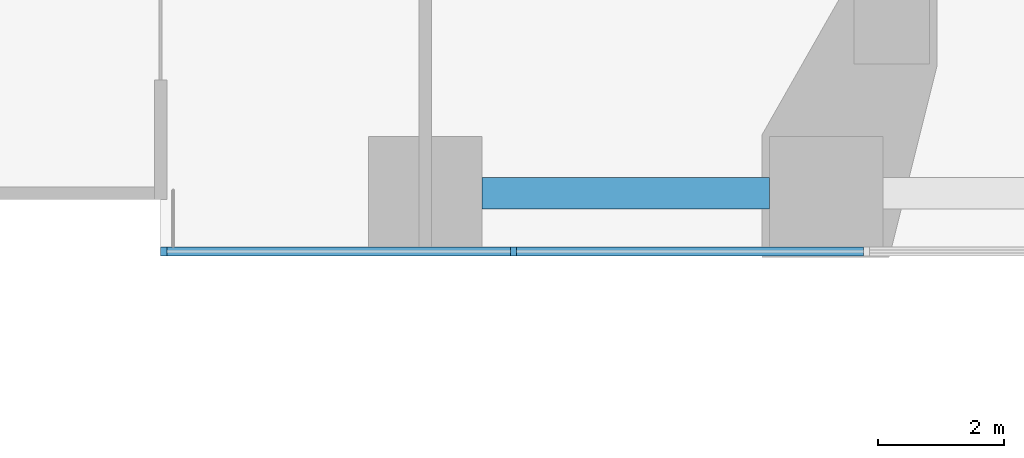
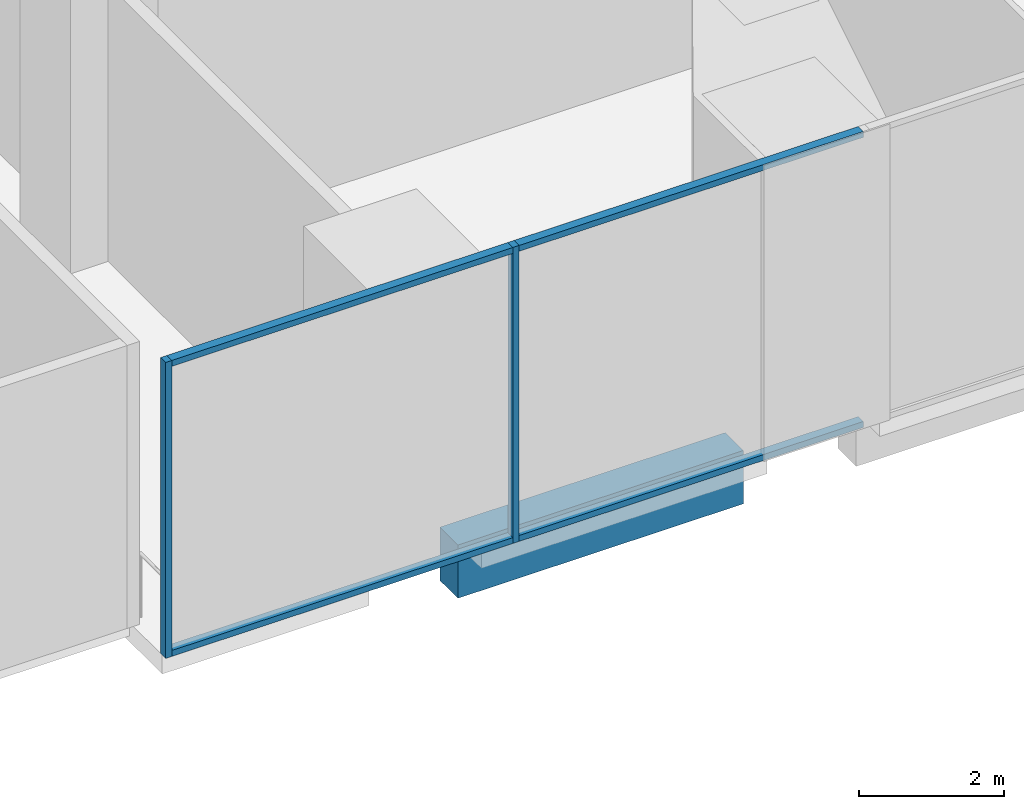
# One storey, part 5 of 24: 6 members, 1 beam, 1 element without a shape of its own.
"""IFC4 building model written with IfcOpenShell, lengths in metres."""

from ifc_helpers import new_model, si_unit, direction, frame, origin, origin_2d, place, context, subcontext, project, spatial, rectangle, extrude, material, layer, layer_set, material_profile, profile_set, type_object, element, aggregate, save


model = new_model("IFC4")

# Units and contexts
model_context = context("Model", 3, precision=1e-05, world=origin(), true_north=direction((0.0, 1.0)))
body_context = subcontext(model_context, "Body", "Model", "MODEL_VIEW")
ifc_project = project(units=[si_unit("LENGTHUNIT", "METRE"), si_unit("AREAUNIT", "SQUARE_METRE"), si_unit("VOLUMEUNIT", "CUBIC_METRE"), si_unit("PLANEANGLEUNIT", "RADIAN"), si_unit("MASSUNIT", "GRAM", prefix="KILO")], contexts=[model_context])

# Site, building, storey
site_placement = place(None, origin())
site = spatial("IfcSite", under=ifc_project, at=site_placement, CompositionType="ELEMENT")
building_placement = place(site_placement, origin())
building = spatial("IfcBuilding", under=site, at=building_placement, Name="Marenta Gate Hotel Tower", CompositionType="ELEMENT")
storey_placement = place(building_placement, frame((0.0, 0.0, 8.0)))
storey = spatial("IfcBuildingStorey", under=building, at=storey_placement, Name="L01", CompositionType="ELEMENT", Elevation=8.0)

# Curtain wall, members
ifc_material_1 = material(Name="Tinted insulated glass in bronze anodised frame", Category="glass")
ifc_layer = layer(ifc_material_1, 0.139892578125)
ifc_layer_set = layer_set([ifc_layer], Name="Tinted insulated glass in bronze anodised frame")
curtain_wall_type = type_object("IfcCurtainWallType", Name="Hotel lobby glazing CW6", PredefinedType="NOTDEFINED", material=ifc_layer_set)
curtain_wall_placement = place(storey_placement, origin())
curtain_wall = element("IfcCurtainWall", 1, at=curtain_wall_placement, inside=storey, type_object=curtain_wall_type, Name="CW6 run NB-S100", PredefinedType="NOTDEFINED")
ifc_material_2 = material(Name="Bronze anodised aluminium", Category="aluminium")
ifc_material_profile_1 = material_profile(ifc_material_2, rectangle(XDim=0.139892578125, YDim=0.10009765625, at=origin_2d()), Name="Mullion CW6 100x140 bronze anodised aluminium")
ifc_profile_set_1 = profile_set([ifc_material_profile_1], Name="Bronze anodised aluminium")
member_type_1 = type_object("IfcMemberType", Name="Mullion CW6 100x140 bronze anodised aluminium", PredefinedType="MULLION", material=ifc_profile_set_1)
member_1_placement = place(storey_placement, frame((16.85009765625, -0.924072265625, 0.0), z_axis=(0.0, 0.0, 1.0), x_axis=(0.0, 1.0, 0.0)))
member_1 = element("IfcMember", 2, at=member_1_placement, type_object=member_type_1, Name="CW6 mullion 1", PredefinedType="MULLION", context=body_context, shape_type="SweptSolid", body=[
    extrude(rectangle(XDim=0.139892578125, YDim=0.10009765625, at=origin_2d()), origin(), (0.0, 0.0, 1.0), 5.0),
])
member_2_placement = place(storey_placement, frame((22.39990234375, -0.924072265625, 0.0), z_axis=(0.0, 0.0, 1.0), x_axis=(0.0, 1.0, 0.0)))
member_2 = element("IfcMember", 3, at=member_2_placement, type_object=member_type_1, Name="CW6 mullion 2", PredefinedType="MULLION", context=body_context, shape_type="SweptSolid", body=[
    extrude(rectangle(XDim=0.139892578125, YDim=0.10009765625, at=origin_2d()), origin(), (0.0, 0.0, 1.0), 5.0),
])

# Beam
ifc_material_3 = material(Name="Concrete C60", Category="concrete")
ifc_material_profile_2 = material_profile(ifc_material_3, rectangle(XDim=0.5, YDim=0.89990234375, at=origin_2d()), Name="500 x 900")
ifc_profile_set_2 = profile_set([ifc_material_profile_2], Name="Concrete C60")
beam_type = type_object("IfcBeamType", Name="Podium edge beam 500 x 900 C60", PredefinedType="BEAM", material=ifc_profile_set_2)
beam_placement = place(storey_placement, frame((21.89990234375, 0.0, -0.77001953125), z_axis=(1.0, 0.0, 0.0), x_axis=(0.0, 1.0, 0.0)))
element("IfcBeam", 4, at=beam_placement, inside=storey, type_object=beam_type, Name="L01-PBM-24", PredefinedType="BEAM", context=body_context, shape_type="SweptSolid", body=[
    extrude(rectangle(XDim=0.5, YDim=0.89990234375, at=origin_2d()), origin(), (0.0, 0.0, 1.0), 4.56298828125),
])

# Member
ifc_material_4 = material(Name="Bronze anodised aluminium", Category="aluminium")
ifc_material_profile_3 = material_profile(ifc_material_4, rectangle(XDim=0.139892578125, YDim=0.10009765625, at=origin_2d()), Name="Transom CW6 100x140 bronze anodised aluminium")
ifc_profile_set_3 = profile_set([ifc_material_profile_3], Name="Bronze anodised aluminium")
member_type_2 = type_object("IfcMemberType", Name="Transom CW6 100x140 bronze anodised aluminium", PredefinedType="USERDEFINED", material=ifc_profile_set_3)
member_3_placement = place(storey_placement, frame((16.89990234375, -0.924072265625, 0.050048828125), z_axis=(1.0, 0.0, 0.0), x_axis=(0.0, 1.0, 0.0)))
member_3 = element("IfcMember", 5, at=member_3_placement, type_object=member_type_2, Name="CW6 transom 1.1", ObjectType="TRANSOM", PredefinedType="USERDEFINED", context=body_context, shape_type="SweptSolid", body=[
    extrude(rectangle(XDim=0.139892578125, YDim=0.10009765625, at=origin_2d()), origin(), (0.0, 0.0, 1.0), 5.4501953125),
])

member_4_placement = place(storey_placement, frame((16.89990234375, -0.924072265625, 4.949951171875), z_axis=(1.0, 0.0, 0.0), x_axis=(0.0, 1.0, 0.0)))
member_4 = element("IfcMember", 6, at=member_4_placement, type_object=member_type_2, Name="CW6 transom 1.2", ObjectType="TRANSOM", PredefinedType="USERDEFINED", context=body_context, shape_type="SweptSolid", body=[
    extrude(rectangle(XDim=0.139892578125, YDim=0.10009765625, at=origin_2d()), origin(), (0.0, 0.0, 1.0), 5.4501953125),
])

member_5_placement = place(storey_placement, frame((22.449951171875, -0.924072265625, 0.050048828125), z_axis=(1.0, 0.0, 0.0), x_axis=(0.0, 1.0, 0.0)))
member_5 = element("IfcMember", 7, at=member_5_placement, type_object=member_type_2, Name="CW6 transom 2.1", ObjectType="TRANSOM", PredefinedType="USERDEFINED", context=body_context, shape_type="SweptSolid", body=[
    extrude(rectangle(XDim=0.139892578125, YDim=0.10009765625, at=origin_2d()), origin(), (0.0, 0.0, 1.0), 5.5),
])

member_6_placement = place(storey_placement, frame((22.449951171875, -0.924072265625, 4.949951171875), z_axis=(1.0, 0.0, 0.0), x_axis=(0.0, 1.0, 0.0)))
member_6 = element("IfcMember", 8, at=member_6_placement, type_object=member_type_2, Name="CW6 transom 2.2", ObjectType="TRANSOM", PredefinedType="USERDEFINED", context=body_context, shape_type="SweptSolid", body=[
    extrude(rectangle(XDim=0.139892578125, YDim=0.10009765625, at=origin_2d()), origin(), (0.0, 0.0, 1.0), 5.5),
])

aggregate(curtain_wall, [member_1, member_2, member_3, member_4, member_5, member_6])

save(model, "model.ifc")
